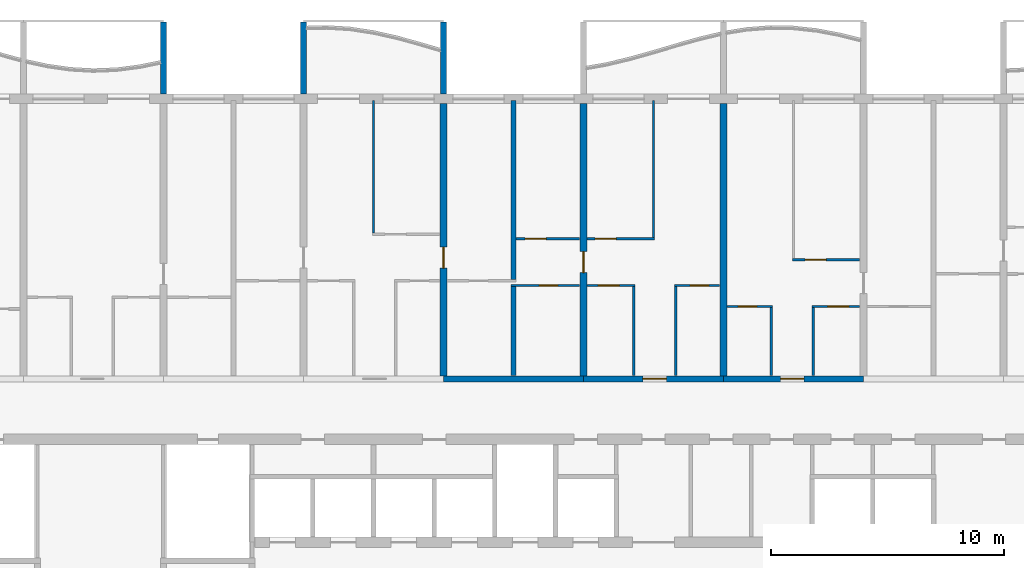
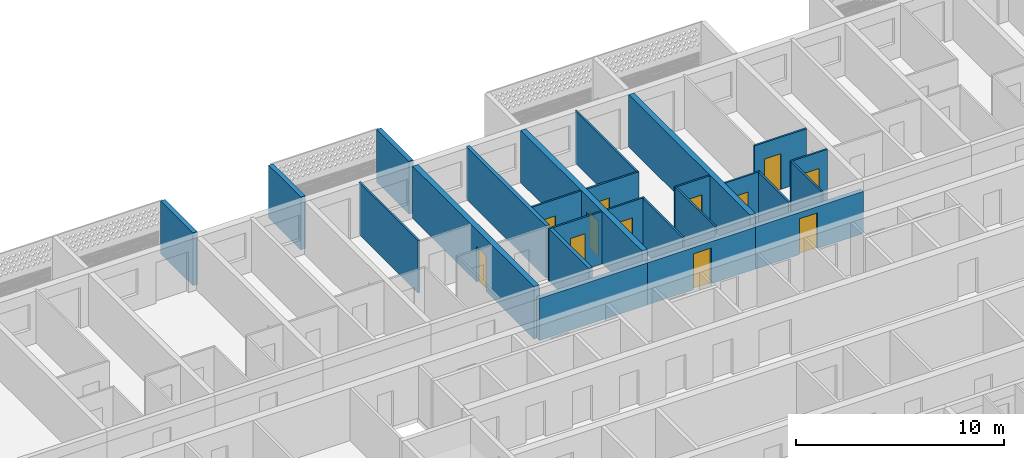
# One storey, part 9 of 31: 25 walls, 12 doors, 12 openings.
"""IFC4 building model written with IfcOpenShell, lengths in metres."""

from ifc_helpers import new_model, si_unit, direction, frame, frame_2d, origin, place, context, subcontext, project, spatial, polyline, rectangle, outline, extrude, source, transform, mapped, material, layer, layer_set, type_object, element, fill, save


model = new_model("IFC4")

# Units and contexts
model_context = context("Model", 3, precision=1e-05, world=origin(), true_north=direction((0.0, 1.0)))
body_context = subcontext(model_context, "Body", "Model", "MODEL_VIEW")
ifc_project = project(units=[si_unit("LENGTHUNIT", "METRE"), si_unit("AREAUNIT", "SQUARE_METRE"), si_unit("VOLUMEUNIT", "CUBIC_METRE"), si_unit("PLANEANGLEUNIT", "RADIAN"), si_unit("MASSUNIT", "GRAM", prefix="KILO")], contexts=[model_context])

# Site, building, storey
site_placement = place(None, origin())
site = spatial("IfcSite", under=ifc_project, at=site_placement, CompositionType="ELEMENT")
building_placement = place(site_placement, origin())
building = spatial("IfcBuilding", under=site, at=building_placement, Name="Poui Terraces", CompositionType="ELEMENT")
storey_placement = place(building_placement, frame((0.0, 0.0, 145.5)))
storey = spatial("IfcBuildingStorey", under=building, at=storey_placement, Name="L40", CompositionType="ELEMENT", Elevation=145.5)

# Wall
ifc_material_1 = material(Name="Concrete 65 MPa", Category="concrete")
ifc_layer_1 = layer(ifc_material_1, 0.25)
ifc_layer_set_1 = layer_set([ifc_layer_1], Name="Concrete 65 MPa")
wall_type_1 = type_object("IfcWallType", Name="CORRIDOR WALL 250 65MPa", PredefinedType="SHEAR", material=ifc_layer_set_1)
wall_1_placement = place(storey_placement, frame((42.0, 30.39990234375, 0.0), z_axis=(0.0, 0.0, 1.0), x_axis=(1.0, 0.0, 0.0)))
element("IfcWall", 1, at=wall_1_placement, inside=storey, type_object=wall_type_1, Name="CORRIDOR WALL LINE E BAY 6", PredefinedType="SHEAR", context=body_context, shape_type="SweptSolid", body=[
    extrude(rectangle(XDim=6.0, YDim=0.25, at=frame_2d((3.0, 0.0))), origin(), (0.0, 0.0, 1.0), 2.469970703125),
])

# Wall, opening, door
wall_2_placement = place(storey_placement, frame((48.0, 30.39990234375, 0.0), z_axis=(0.0, 0.0, 1.0), x_axis=(1.0, 0.0, 0.0)))
wall_2 = element("IfcWall", 2, at=wall_2_placement, inside=storey, type_object=wall_type_1, Name="CORRIDOR WALL LINE E BAY 7", PredefinedType="SHEAR", context=body_context, shape_type="SweptSolid", body=[
    extrude(rectangle(XDim=6.0, YDim=0.25, at=frame_2d((3.0, 0.0))), origin(), (0.0, 0.0, 1.0), 2.469970703125),
])
opening_1_placement = place(wall_2_placement, frame((2.550048828125, 0.0, 0.0)))
opening_1 = element("IfcOpeningElement", 3, at=opening_1_placement, cuts=wall_2, Name="Opening FD30S", PredefinedType="OPENING", context=body_context, shape_type="SweptSolid", body=[
    extrude(rectangle(XDim=1.0, YDim=2.10009765625, at=frame_2d((0.5, 1.050048828125))), frame((0.0, 0.135009765625, 0.0), z_axis=(0.0, -1.0, 0.0), x_axis=(1.0, 0.0, 0.0)), (0.0, 0.0, 1.0), 0.27001953125),
])
ifc_material_2 = material(Name="Steel fire door", Category="steel")
door_type_1 = type_object("IfcDoorType", Name="FLAT ENTRANCE DOOR 1000 X 2100", OperationType="NOTDEFINED", PredefinedType="DOOR", material=ifc_material_2)
door_1_placement = place(opening_1_placement, origin())
door_1 = element("IfcDoor", 4, at=door_1_placement, inside=storey, type_object=door_type_1, Name="FLAT ENTRANCE DOOR 055", OperationType="SINGLE_SWING_RIGHT", OverallHeight=2.10009765625, OverallWidth=1.0, PredefinedType="DOOR", context=body_context, shape_type="SweptSolid", body=[
    extrude(rectangle(XDim=1.0, YDim=2.10009765625, at=frame_2d((0.5, 1.050048828125))), frame((0.0, 0.02490234375, 0.0), z_axis=(0.0, -1.0, 0.0), x_axis=(1.0, 0.0, 0.0)), (0.0, 0.0, 1.0), 0.050048828125),
])
fill(opening_1, door_1)

wall_3_placement = place(storey_placement, frame((54.0, 30.39990234375, 0.0), z_axis=(0.0, 0.0, 1.0), x_axis=(1.0, 0.0, 0.0)))
wall_3 = element("IfcWall", 5, at=wall_3_placement, inside=storey, type_object=wall_type_1, Name="CORRIDOR WALL LINE E BAY 8", PredefinedType="SHEAR", context=body_context, shape_type="SweptSolid", body=[
    extrude(rectangle(XDim=6.0, YDim=0.25, at=frame_2d((3.0, 0.0))), origin(), (0.0, 0.0, 1.0), 2.469970703125),
])
opening_2_placement = place(wall_3_placement, frame((2.449951171875, 0.0, 0.0)))
opening_2 = element("IfcOpeningElement", 6, at=opening_2_placement, cuts=wall_3, Name="Opening FD30S", PredefinedType="OPENING", context=body_context, shape_type="SweptSolid", body=[
    extrude(rectangle(XDim=1.0, YDim=2.10009765625, at=frame_2d((0.5, 1.050048828125))), frame((0.0, 0.135009765625, 0.0), z_axis=(0.0, -1.0, 0.0), x_axis=(1.0, 0.0, 0.0)), (0.0, 0.0, 1.0), 0.27001953125),
])
door_2_placement = place(opening_2_placement, origin())
door_2 = element("IfcDoor", 7, at=door_2_placement, inside=storey, type_object=door_type_1, Name="FLAT ENTRANCE DOOR 059", OperationType="SINGLE_SWING_LEFT", OverallHeight=2.10009765625, OverallWidth=1.0, PredefinedType="DOOR", context=body_context, shape_type="SweptSolid", body=[
    extrude(rectangle(XDim=1.0, YDim=2.10009765625, at=frame_2d((0.5, 1.050048828125))), frame((0.0, 0.02490234375, 0.0), z_axis=(0.0, -1.0, 0.0), x_axis=(1.0, 0.0, 0.0)), (0.0, 0.0, 1.0), 0.050048828125),
])
fill(opening_2, door_2)

ifc_layer_2 = layer(ifc_material_1, 0.300048828125)
ifc_layer_set_2 = layer_set([ifc_layer_2], Name="Concrete 65 MPa")
wall_type_2 = type_object("IfcWallType", Name="CROSS WALL 300 65MPa", PredefinedType="SHEAR", material=ifc_layer_set_2)
wall_4_placement = place(storey_placement, frame((42.0, 30.52490234375, 0.0), z_axis=(0.0, 0.0, 1.0), x_axis=(0.0, 1.0, 0.0)))
wall_4 = element("IfcWall", 8, at=wall_4_placement, inside=storey, type_object=wall_type_2, Name="CROSS WALL LINE 8 NORTH", PredefinedType="SHEAR", context=body_context, shape_type="SweptSolid", body=[
    extrude(rectangle(XDim=11.675048828125, YDim=0.300048828125, at=frame_2d((5.83740234375, 0.0))), origin(), (0.0, 0.0, 1.0), 3.070068359375),
])
opening_3_placement = place(wall_4_placement, frame((4.625, 0.0, 0.0)))
opening_3 = element("IfcOpeningElement", 9, at=opening_3_placement, cuts=wall_4, Name="Opening D90", PredefinedType="OPENING", context=body_context, shape_type="SweptSolid", body=[
    extrude(rectangle(XDim=0.89990234375, YDim=2.10009765625, at=frame_2d((0.449951171875, 1.050048828125))), frame((0.0, 0.16015625, 0.0), z_axis=(0.0, -1.0, 0.0), x_axis=(1.0, 0.0, 0.0)), (0.0, 0.0, 1.0), 0.320068359375),
])
ifc_material_3 = material(Name="Solid core timber door", Category="wood")
door_type_2 = type_object("IfcDoorType", Name="INTERNAL DOOR 900 X 2100", OperationType="NOTDEFINED", PredefinedType="DOOR", material=ifc_material_3)
door_3_placement = place(opening_3_placement, frame((0.89990234375, 0.0, 0.0), z_axis=(0.0, 0.0, 1.0), x_axis=(-1.0, 0.0, 0.0)))
door_3 = element("IfcDoor", 10, at=door_3_placement, inside=storey, type_object=door_type_2, Name="INTERNAL DOOR 049", OperationType="SINGLE_SWING_RIGHT", OverallHeight=2.10009765625, OverallWidth=0.89990234375, PredefinedType="DOOR", context=body_context, shape_type="SweptSolid", body=[
    extrude(rectangle(XDim=0.89990234375, YDim=2.10009765625, at=frame_2d((0.449951171875, 1.050048828125))), frame((0.0, 0.02490234375, 0.0), z_axis=(0.0, -1.0, 0.0), x_axis=(1.0, 0.0, 0.0)), (0.0, 0.0, 1.0), 0.050048828125),
])
fill(opening_3, door_3)

wall_5_placement = place(storey_placement, frame((48.0, 30.52490234375, 0.0), z_axis=(0.0, 0.0, 1.0), x_axis=(0.0, 1.0, 0.0)))
wall_5 = element("IfcWall", 11, at=wall_5_placement, inside=storey, type_object=wall_type_2, Name="CROSS WALL LINE 9 NORTH", PredefinedType="SHEAR", context=body_context, shape_type="SweptSolid", body=[
    extrude(rectangle(XDim=11.675048828125, YDim=0.300048828125, at=frame_2d((5.83740234375, 0.0))), origin(), (0.0, 0.0, 1.0), 3.070068359375),
])
opening_4_placement = place(wall_5_placement, frame((4.425048828125, 0.0, 0.0)))
opening_4 = element("IfcOpeningElement", 12, at=opening_4_placement, cuts=wall_5, Name="Opening D90", PredefinedType="OPENING", context=body_context, shape_type="SweptSolid", body=[
    extrude(rectangle(XDim=0.89990234375, YDim=2.10009765625, at=frame_2d((0.449951171875, 1.050048828125))), frame((0.0, 0.16015625, 0.0), z_axis=(0.0, -1.0, 0.0), x_axis=(1.0, 0.0, 0.0)), (0.0, 0.0, 1.0), 0.320068359375),
])
door_4_placement = place(opening_4_placement, frame((0.89990234375, 0.0, 0.0), z_axis=(0.0, 0.0, 1.0), x_axis=(-1.0, 0.0, 0.0)))
door_4 = element("IfcDoor", 13, at=door_4_placement, inside=storey, type_object=door_type_2, Name="INTERNAL DOOR 052", OperationType="SINGLE_SWING_RIGHT", OverallHeight=2.10009765625, OverallWidth=0.89990234375, PredefinedType="DOOR", context=body_context, shape_type="SweptSolid", body=[
    extrude(rectangle(XDim=0.89990234375, YDim=2.10009765625, at=frame_2d((0.449951171875, 1.050048828125))), frame((0.0, 0.02490234375, 0.0), z_axis=(0.0, -1.0, 0.0), x_axis=(1.0, 0.0, 0.0)), (0.0, 0.0, 1.0), 0.050048828125),
])
fill(opening_4, door_4)

# Wall
wall_6_placement = place(storey_placement, frame((54.0, 30.52490234375, 0.0), z_axis=(0.0, 0.0, 1.0), x_axis=(0.0, 1.0, 0.0)))
element("IfcWall", 14, at=wall_6_placement, inside=storey, type_object=wall_type_2, Name="CROSS WALL LINE 10 NORTH", PredefinedType="SHEAR", context=body_context, shape_type="SweptSolid", body=[
    extrude(rectangle(XDim=11.675048828125, YDim=0.300048828125, at=frame_2d((5.83740234375, 0.0))), origin(), (0.0, 0.0, 1.0), 3.070068359375),
])

# Wall, opening, door
ifc_material_4 = material(Name="Plasterboard partition")
ifc_layer_3 = layer(ifc_material_4, 0.10009765625)
ifc_layer_set_3 = layer_set([ifc_layer_3], Name="Plasterboard partition")
wall_type_3 = type_object("IfcWallType", Name="FLAT PARTITION 100", PredefinedType="PARTITIONING", material=ifc_layer_set_3)
wall_7_placement = place(storey_placement, frame((54.159912109375, 33.5, 0.0), z_axis=(0.0, 0.0, 1.0), x_axis=(1.0, 0.0, 0.0)))
wall_7 = element("IfcWall", 15, at=wall_7_placement, inside=storey, type_object=wall_type_3, Name="FLAT PARTITION 100", PredefinedType="PARTITIONING", context=body_context, shape_type="SweptSolid", body=[
    extrude(rectangle(XDim=1.940185546875, YDim=0.10009765625, at=frame_2d((0.97021484375, 0.0))), origin(), (0.0, 0.0, 1.0), 3.070068359375),
])
opening_5_placement = place(wall_7_placement, frame((0.465087890625, 0.0, 0.0)))
opening_5 = element("IfcOpeningElement", 16, at=opening_5_placement, cuts=wall_7, Name="Opening D80", PredefinedType="OPENING", context=body_context, shape_type="SweptSolid", body=[
    extrude(rectangle(XDim=0.800048828125, YDim=2.10009765625, at=frame_2d((0.39990234375, 1.050048828125))), frame((0.0, 0.06005859375, 0.0), z_axis=(0.0, -1.0, 0.0), x_axis=(1.0, 0.0, 0.0)), (0.0, 0.0, 1.0), 0.1201171875),
])
door_type_3 = type_object("IfcDoorType", Name="BATHROOM, LAUNDRY AND STORE DOOR 800 X 2100", OperationType="NOTDEFINED", PredefinedType="DOOR", material=ifc_material_3)
door_5_placement = place(opening_5_placement, frame((0.800048828125, 0.0, 0.0), z_axis=(0.0, 0.0, 1.0), x_axis=(-1.0, 0.0, 0.0)))
door_5 = element("IfcDoor", 17, at=door_5_placement, inside=storey, type_object=door_type_3, Name="BATHROOM, LAUNDRY AND STORE DOOR 058", OperationType="SINGLE_SWING_LEFT", OverallHeight=2.10009765625, OverallWidth=0.800048828125, PredefinedType="DOOR", context=body_context, shape_type="SweptSolid", body=[
    extrude(rectangle(XDim=0.800048828125, YDim=2.10009765625, at=frame_2d((0.39990234375, 1.050048828125))), frame((0.0, 0.02490234375, 0.0), z_axis=(0.0, -1.0, 0.0), x_axis=(1.0, 0.0, 0.0)), (0.0, 0.0, 1.0), 0.050048828125),
])
fill(opening_5, door_5)

wall_8_placement = place(storey_placement, frame((57.800048828125, 33.5, 0.0), z_axis=(0.0, 0.0, 1.0), x_axis=(1.0, 0.0, 0.0)))
wall_8 = element("IfcWall", 18, at=wall_8_placement, inside=storey, type_object=wall_type_3, Name="FLAT PARTITION 100", PredefinedType="PARTITIONING", context=body_context, shape_type="SweptSolid", body=[
    extrude(rectangle(XDim=2.0400390625, YDim=0.10009765625, at=frame_2d((1.02001953125, 0.0))), origin(), (0.0, 0.0, 1.0), 3.070068359375),
])
opening_6_placement = place(wall_8_placement, frame((0.675048828125, 0.0, 0.0)))
opening_6 = element("IfcOpeningElement", 19, at=opening_6_placement, cuts=wall_8, Name="Opening D90", PredefinedType="OPENING", context=body_context, shape_type="SweptSolid", body=[
    extrude(rectangle(XDim=0.89990234375, YDim=2.10009765625, at=frame_2d((0.449951171875, 1.050048828125))), frame((0.0, 0.06005859375, 0.0), z_axis=(0.0, -1.0, 0.0), x_axis=(1.0, 0.0, 0.0)), (0.0, 0.0, 1.0), 0.1201171875),
])
door_6_placement = place(opening_6_placement, frame((0.89990234375, 0.0, 0.0), z_axis=(0.0, 0.0, 1.0), x_axis=(-1.0, 0.0, 0.0)))
door_6 = element("IfcDoor", 20, at=door_6_placement, inside=storey, type_object=door_type_2, Name="INTERNAL DOOR 061", OperationType="SINGLE_SWING_RIGHT", OverallHeight=2.10009765625, OverallWidth=0.89990234375, PredefinedType="DOOR", context=body_context, shape_type="SweptSolid", body=[
    extrude(rectangle(XDim=0.89990234375, YDim=2.10009765625, at=frame_2d((0.449951171875, 1.050048828125))), frame((0.0, 0.02490234375, 0.0), z_axis=(0.0, -1.0, 0.0), x_axis=(1.0, 0.0, 0.0)), (0.0, 0.0, 1.0), 0.050048828125),
])
fill(opening_6, door_6)

wall_9_placement = place(storey_placement, frame((44.89990234375, 34.39990234375, 0.0), z_axis=(0.0, 0.0, 1.0), x_axis=(1.0, 0.0, 0.0)))
wall_9 = element("IfcWall", 21, at=wall_9_placement, inside=storey, type_object=wall_type_3, Name="FLAT PARTITION 100", PredefinedType="PARTITIONING", context=body_context, shape_type="SweptSolid", body=[
    extrude(rectangle(XDim=2.940185546875, YDim=0.10009765625, at=frame_2d((1.47021484375, 0.0))), origin(), (0.0, 0.0, 1.0), 3.070068359375),
])
opening_7_placement = place(wall_9_placement, frame((1.199951171875, 0.0, 0.0)))
opening_7 = element("IfcOpeningElement", 22, at=opening_7_placement, cuts=wall_9, Name="Opening D80", PredefinedType="OPENING", context=body_context, shape_type="SweptSolid", body=[
    extrude(rectangle(XDim=0.800048828125, YDim=2.10009765625, at=frame_2d((0.39990234375, 1.050048828125))), frame((0.0, 0.06005859375, 0.0), z_axis=(0.0, -1.0, 0.0), x_axis=(1.0, 0.0, 0.0)), (0.0, 0.0, 1.0), 0.1201171875),
])
door_7_placement = place(opening_7_placement, frame((0.800048828125, 0.0, 0.0), z_axis=(0.0, 0.0, 1.0), x_axis=(-1.0, 0.0, 0.0)))
door_7 = element("IfcDoor", 23, at=door_7_placement, inside=storey, type_object=door_type_3, Name="BATHROOM, LAUNDRY AND STORE DOOR 051", OperationType="SINGLE_SWING_LEFT", OverallHeight=2.10009765625, OverallWidth=0.800048828125, PredefinedType="DOOR", context=body_context, shape_type="SweptSolid", body=[
    extrude(rectangle(XDim=0.800048828125, YDim=2.10009765625, at=frame_2d((0.39990234375, 1.050048828125))), frame((0.0, 0.02490234375, 0.0), z_axis=(0.0, -1.0, 0.0), x_axis=(1.0, 0.0, 0.0)), (0.0, 0.0, 1.0), 0.050048828125),
])
fill(opening_7, door_7)

wall_10_placement = place(storey_placement, frame((48.159912109375, 34.39990234375, 0.0), z_axis=(0.0, 0.0, 1.0), x_axis=(1.0, 0.0, 0.0)))
wall_10 = element("IfcWall", 24, at=wall_10_placement, inside=storey, type_object=wall_type_3, Name="FLAT PARTITION 100", PredefinedType="PARTITIONING", context=body_context, shape_type="SweptSolid", body=[
    extrude(rectangle(XDim=2.0400390625, YDim=0.10009765625, at=frame_2d((1.02001953125, 0.0))), origin(), (0.0, 0.0, 1.0), 3.070068359375),
])
opening_8_placement = place(wall_10_placement, frame((0.465087890625, 0.0, 0.0)))
opening_8 = element("IfcOpeningElement", 25, at=opening_8_placement, cuts=wall_10, Name="Opening D90", PredefinedType="OPENING", context=body_context, shape_type="SweptSolid", body=[
    extrude(rectangle(XDim=0.89990234375, YDim=2.10009765625, at=frame_2d((0.449951171875, 1.050048828125))), frame((0.0, 0.06005859375, 0.0), z_axis=(0.0, -1.0, 0.0), x_axis=(1.0, 0.0, 0.0)), (0.0, 0.0, 1.0), 0.1201171875),
])
door_8_placement = place(opening_8_placement, frame((0.89990234375, 0.0, 0.0), z_axis=(0.0, 0.0, 1.0), x_axis=(-1.0, 0.0, 0.0)))
door_8 = element("IfcDoor", 26, at=door_8_placement, inside=storey, type_object=door_type_2, Name="INTERNAL DOOR 054", OperationType="SINGLE_SWING_RIGHT", OverallHeight=2.10009765625, OverallWidth=0.89990234375, PredefinedType="DOOR", context=body_context, shape_type="SweptSolid", body=[
    extrude(rectangle(XDim=0.89990234375, YDim=2.10009765625, at=frame_2d((0.449951171875, 1.050048828125))), frame((0.0, 0.02490234375, 0.0), z_axis=(0.0, -1.0, 0.0), x_axis=(1.0, 0.0, 0.0)), (0.0, 0.0, 1.0), 0.050048828125),
])
fill(opening_8, door_8)

wall_11_placement = place(storey_placement, frame((51.89990234375, 34.39990234375, 0.0), z_axis=(0.0, 0.0, 1.0), x_axis=(1.0, 0.0, 0.0)))
wall_11 = element("IfcWall", 27, at=wall_11_placement, inside=storey, type_object=wall_type_3, Name="FLAT PARTITION 100", PredefinedType="PARTITIONING", context=body_context, shape_type="SweptSolid", body=[
    extrude(rectangle(XDim=1.940185546875, YDim=0.10009765625, at=frame_2d((0.97021484375, 0.0))), origin(), (0.0, 0.0, 1.0), 3.070068359375),
])
opening_9_placement = place(wall_11_placement, frame((0.675048828125, 0.0, 0.0)))
opening_9 = element("IfcOpeningElement", 28, at=opening_9_placement, cuts=wall_11, Name="Opening D80", PredefinedType="OPENING", context=body_context, shape_type="SweptSolid", body=[
    extrude(rectangle(XDim=0.800048828125, YDim=2.10009765625, at=frame_2d((0.39990234375, 1.050048828125))), frame((0.0, 0.06005859375, 0.0), z_axis=(0.0, -1.0, 0.0), x_axis=(1.0, 0.0, 0.0)), (0.0, 0.0, 1.0), 0.1201171875),
])
door_9_placement = place(opening_9_placement, frame((0.800048828125, 0.0, 0.0), z_axis=(0.0, 0.0, 1.0), x_axis=(-1.0, 0.0, 0.0)))
door_9 = element("IfcDoor", 29, at=door_9_placement, inside=storey, type_object=door_type_3, Name="BATHROOM, LAUNDRY AND STORE DOOR 056", OperationType="SINGLE_SWING_LEFT", OverallHeight=2.10009765625, OverallWidth=0.800048828125, PredefinedType="DOOR", context=body_context, shape_type="SweptSolid", body=[
    extrude(rectangle(XDim=0.800048828125, YDim=2.10009765625, at=frame_2d((0.39990234375, 1.050048828125))), frame((0.0, 0.02490234375, 0.0), z_axis=(0.0, -1.0, 0.0), x_axis=(1.0, 0.0, 0.0)), (0.0, 0.0, 1.0), 0.050048828125),
])
fill(opening_9, door_9)

wall_12_placement = place(storey_placement, frame((56.949951171875, 35.5, 0.0), z_axis=(0.0, 0.0, 1.0), x_axis=(1.0, 0.0, 0.0)))
wall_12 = element("IfcWall", 30, at=wall_12_placement, inside=storey, type_object=wall_type_3, Name="FLAT PARTITION 100", PredefinedType="PARTITIONING", context=body_context, shape_type="SweptSolid", body=[
    extrude(rectangle(XDim=2.89013671875, YDim=0.10009765625, at=frame_2d((1.445068359375, 0.0))), origin(), (0.0, 0.0, 1.0), 3.070068359375),
])
opening_10_placement = place(wall_12_placement, frame((0.550048828125, 0.0, 0.0)))
opening_10 = element("IfcOpeningElement", 31, at=opening_10_placement, cuts=wall_12, Name="Opening D90", PredefinedType="OPENING", context=body_context, shape_type="SweptSolid", body=[
    extrude(rectangle(XDim=0.89990234375, YDim=2.10009765625, at=frame_2d((0.449951171875, 1.050048828125))), frame((0.0, 0.06005859375, 0.0), z_axis=(0.0, -1.0, 0.0), x_axis=(1.0, 0.0, 0.0)), (0.0, 0.0, 1.0), 0.1201171875),
])
door_10_placement = place(opening_10_placement, frame((0.89990234375, 0.0, 0.0), z_axis=(0.0, 0.0, 1.0), x_axis=(-1.0, 0.0, 0.0)))
door_10 = element("IfcDoor", 32, at=door_10_placement, inside=storey, type_object=door_type_2, Name="INTERNAL DOOR 060", OperationType="SINGLE_SWING_LEFT", OverallHeight=2.10009765625, OverallWidth=0.89990234375, PredefinedType="DOOR", context=body_context, shape_type="SweptSolid", body=[
    extrude(rectangle(XDim=0.89990234375, YDim=2.10009765625, at=frame_2d((0.449951171875, 1.050048828125))), frame((0.0, 0.02490234375, 0.0), z_axis=(0.0, -1.0, 0.0), x_axis=(1.0, 0.0, 0.0)), (0.0, 0.0, 1.0), 0.050048828125),
])
fill(opening_10, door_10)

wall_13_placement = place(storey_placement, frame((45.10009765625, 36.39990234375, 0.0), z_axis=(0.0, 0.0, 1.0), x_axis=(1.0, 0.0, 0.0)))
wall_13 = element("IfcWall", 33, at=wall_13_placement, inside=storey, type_object=wall_type_3, Name="FLAT PARTITION 100", PredefinedType="PARTITIONING", context=body_context, shape_type="SweptSolid", body=[
    extrude(rectangle(XDim=2.739990234375, YDim=0.10009765625, at=frame_2d((1.3701171875, 0.0))), origin(), (0.0, 0.0, 1.0), 3.070068359375),
])
opening_11_placement = place(wall_13_placement, frame((0.39990234375, 0.0, 0.0)))
opening_11 = element("IfcOpeningElement", 34, at=opening_11_placement, cuts=wall_13, Name="Opening D90", PredefinedType="OPENING", context=body_context, shape_type="SweptSolid", body=[
    extrude(rectangle(XDim=0.89990234375, YDim=2.10009765625, at=frame_2d((0.449951171875, 1.050048828125))), frame((0.0, 0.06005859375, 0.0), z_axis=(0.0, -1.0, 0.0), x_axis=(1.0, 0.0, 0.0)), (0.0, 0.0, 1.0), 0.1201171875),
])
door_11_placement = place(opening_11_placement, origin())
door_11 = element("IfcDoor", 35, at=door_11_placement, inside=storey, type_object=door_type_2, Name="INTERNAL DOOR 050", OperationType="SINGLE_SWING_LEFT", OverallHeight=2.10009765625, OverallWidth=0.89990234375, PredefinedType="DOOR", context=body_context, shape_type="SweptSolid", body=[
    extrude(rectangle(XDim=0.89990234375, YDim=2.10009765625, at=frame_2d((0.449951171875, 1.050048828125))), frame((0.0, 0.02490234375, 0.0), z_axis=(0.0, -1.0, 0.0), x_axis=(1.0, 0.0, 0.0)), (0.0, 0.0, 1.0), 0.050048828125),
])
fill(opening_11, door_11)

wall_14_placement = place(storey_placement, frame((48.159912109375, 36.39990234375, 0.0), z_axis=(0.0, 0.0, 1.0), x_axis=(1.0, 0.0, 0.0)))
wall_14 = element("IfcWall", 36, at=wall_14_placement, inside=storey, type_object=wall_type_3, Name="FLAT PARTITION 100", PredefinedType="PARTITIONING", context=body_context, shape_type="SweptSolid", body=[
    extrude(rectangle(XDim=2.89013671875, YDim=0.10009765625, at=frame_2d((1.445068359375, 0.0))), origin(), (0.0, 0.0, 1.0), 3.070068359375),
])
opening_12_placement = place(wall_14_placement, frame((0.340087890625, 0.0, 0.0)))
opening_12 = element("IfcOpeningElement", 37, at=opening_12_placement, cuts=wall_14, Name="Opening D90", PredefinedType="OPENING", context=body_context, shape_type="SweptSolid", body=[
    extrude(rectangle(XDim=0.89990234375, YDim=2.10009765625, at=frame_2d((0.449951171875, 1.050048828125))), frame((0.0, 0.06005859375, 0.0), z_axis=(0.0, -1.0, 0.0), x_axis=(1.0, 0.0, 0.0)), (0.0, 0.0, 1.0), 0.1201171875),
])
door_12_placement = place(opening_12_placement, frame((0.89990234375, 0.0, 0.0), z_axis=(0.0, 0.0, 1.0), x_axis=(-1.0, 0.0, 0.0)))
door_12 = element("IfcDoor", 38, at=door_12_placement, inside=storey, type_object=door_type_2, Name="INTERNAL DOOR 053", OperationType="SINGLE_SWING_LEFT", OverallHeight=2.10009765625, OverallWidth=0.89990234375, PredefinedType="DOOR", context=body_context, shape_type="SweptSolid", body=[
    extrude(rectangle(XDim=0.89990234375, YDim=2.10009765625, at=frame_2d((0.449951171875, 1.050048828125))), frame((0.0, 0.02490234375, 0.0), z_axis=(0.0, -1.0, 0.0), x_axis=(1.0, 0.0, 0.0)), (0.0, 0.0, 1.0), 0.050048828125),
])
fill(opening_12, door_12)

# Walls
wall_15_placement = place(storey_placement, frame((39.0, 36.64990234375, 0.0), z_axis=(0.0, 0.0, 1.0), x_axis=(0.0, 1.0, 0.0)))
element("IfcWall", 39, at=wall_15_placement, inside=storey, type_object=wall_type_3, Name="FLAT PARTITION 100", PredefinedType="PARTITIONING", context=body_context, shape_type="SweptSolid", body=[
    extrude(rectangle(XDim=5.690185546875, YDim=0.10009765625, at=frame_2d((2.84521484375, 0.0))), origin(), (0.0, 0.0, 1.0), 3.070068359375),
])
wall_16_placement = place(storey_placement, frame((50.14990234375, 30.534912109375, 0.0), z_axis=(0.0, 0.0, 1.0), x_axis=(0.0, 1.0, 0.0)))
element("IfcWall", 40, at=wall_16_placement, inside=storey, type_object=wall_type_3, Name="FLAT PARTITION 100", PredefinedType="PARTITIONING", context=body_context, shape_type="SweptSolid", body=[
    extrude(rectangle(XDim=3.815185546875, YDim=0.10009765625, at=frame_2d((1.90771484375, 0.0))), origin(), (0.0, 0.0, 1.0), 3.070068359375),
])
wall_17_placement = place(storey_placement, frame((51.0, 36.449951171875, 0.0), z_axis=(0.0, 0.0, 1.0), x_axis=(0.0, 1.0, 0.0)))
element("IfcWall", 41, at=wall_17_placement, inside=storey, type_object=wall_type_3, Name="FLAT PARTITION 100", PredefinedType="PARTITIONING", context=body_context, shape_type="SweptSolid", body=[
    extrude(rectangle(XDim=5.89013671875, YDim=0.10009765625, at=frame_2d((2.945068359375, 0.0))), origin(), (0.0, 0.0, 1.0), 3.070068359375),
])
wall_18_placement = place(storey_placement, frame((51.949951171875, 30.534912109375, 0.0), z_axis=(0.0, 0.0, 1.0), x_axis=(0.0, 1.0, 0.0)))
element("IfcWall", 42, at=wall_18_placement, inside=storey, type_object=wall_type_3, Name="FLAT PARTITION 100", PredefinedType="PARTITIONING", context=body_context, shape_type="SweptSolid", body=[
    extrude(rectangle(XDim=3.815185546875, YDim=0.10009765625, at=frame_2d((1.90771484375, 0.0))), origin(), (0.0, 0.0, 1.0), 3.070068359375),
])
for number, where, z_axis, x_axis, name in (
    (43, (56.050048828125, 30.534912109375, 0.0), (0.0, 0.0, 1.0), (0.0, 1.0, 0.0), "FLAT PARTITION 100"),
    (44, (57.85009765625, 30.534912109375, 0.0), (0.0, 0.0, 1.0), (0.0, 1.0, 0.0), "FLAT PARTITION 100"),
):
    element("IfcWall", number, at=place(storey_placement, frame(where, z_axis=z_axis, x_axis=x_axis)), inside=storey, type_object=wall_type_3, Name=name, PredefinedType="PARTITIONING", context=body_context, shape_type="SweptSolid", body=[
        extrude(rectangle(XDim=2.9150390625, YDim=0.10009765625, at=frame_2d((1.45751953125, 0.0))), origin(), (0.0, 0.0, 1.0), 3.070068359375),
    ])
ifc_material_5 = material(Name="Fire-rated masonry wall", Category="masonry")
ifc_layer_4 = layer(ifc_material_5, 0.199951171875)
ifc_layer_set_4 = layer_set([ifc_layer_4], Name="Fire-rated masonry wall")
wall_type_4 = type_object("IfcWallType", Name="FLAT PARTY WALL 200", PredefinedType="PARTITIONING", material=ifc_layer_set_4)
wall_19_placement = place(storey_placement, frame((45.0, 30.534912109375, 0.0), z_axis=(0.0, 0.0, 1.0), x_axis=(0.0, 1.0, 0.0)))
element("IfcWall", 45, at=wall_19_placement, inside=storey, type_object=wall_type_4, Name="FLAT PARTY WALL 200", PredefinedType="PARTITIONING", context=body_context, shape_type="SweptSolid", body=[
    extrude(rectangle(XDim=3.815185546875, YDim=0.199951171875, at=frame_2d((1.90771484375, 0.0))), origin(), (0.0, 0.0, 1.0), 3.070068359375),
])
wall_20_placement = place(storey_placement, frame((45.0, 34.64990234375, 0.0), z_axis=(0.0, 0.0, 1.0), x_axis=(0.0, 1.0, 0.0)))
element("IfcWall", 46, at=wall_20_placement, inside=storey, type_object=wall_type_4, Name="FLAT PARTY WALL 200", PredefinedType="PARTITIONING", context=body_context, shape_type="SweptSolid", body=[
    extrude(rectangle(XDim=7.690185546875, YDim=0.199951171875, at=frame_2d((3.84521484375, 0.0))), origin(), (0.0, 0.0, 1.0), 3.070068359375),
])
ifc_material_6 = material(Name="Precast concrete 40 MPa", Category="concrete")
ifc_layer_5 = layer(ifc_material_6, 0.25)
ifc_layer_set_5 = layer_set([ifc_layer_5], Name="Precast concrete 40 MPa")
wall_type_5 = type_object("IfcWallType", Name="BALCONY FIN 250", PredefinedType="STANDARD", material=ifc_layer_set_5)
shared_shape = source(origin(), body_context, "Body", "SweptSolid", [
    extrude(outline(polyline([(0.0, 0.0), (0.25, 0.0), (0.25, 3.099853515625), (0.0, 3.099853515625), (0.0, 0.0)])), origin(), (0.0, 0.0, 1.0), 3.10009765625),
])
for number, where, name in (
    (47, (29.875, 42.60009765625, 0.0), "BALCONY FIN"),
    (48, (35.875, 42.60009765625, 0.0), "BALCONY FIN"),
    (49, (41.875, 42.60009765625, 0.0), "BALCONY FIN"),
):
    element("IfcWall", number, at=place(storey_placement, frame(where)), inside=storey, type_object=wall_type_5, Name=name, PredefinedType="STANDARD", context=body_context, shape_type="MappedRepresentation", body=[
        mapped(shared_shape, transform((0.0, 0.0, 0.0))),
    ])

save(model, "model.ifc")
